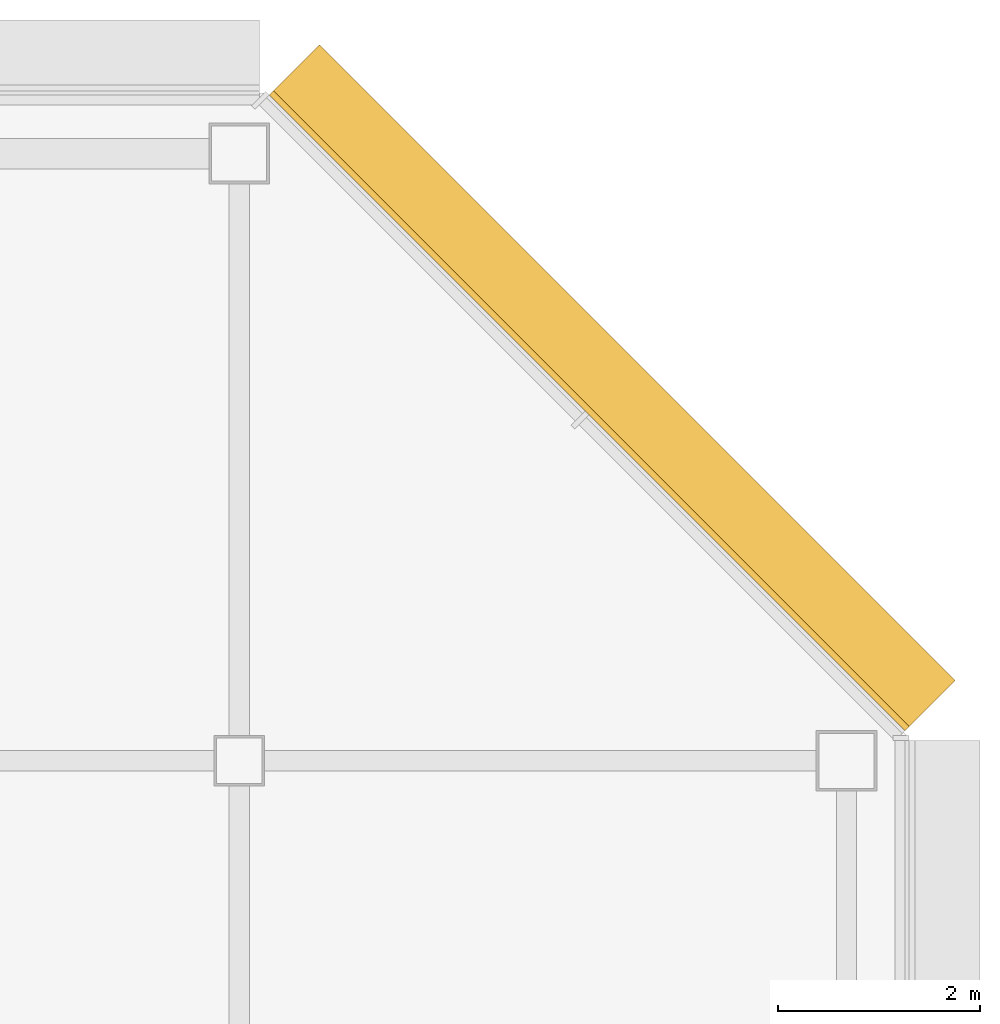
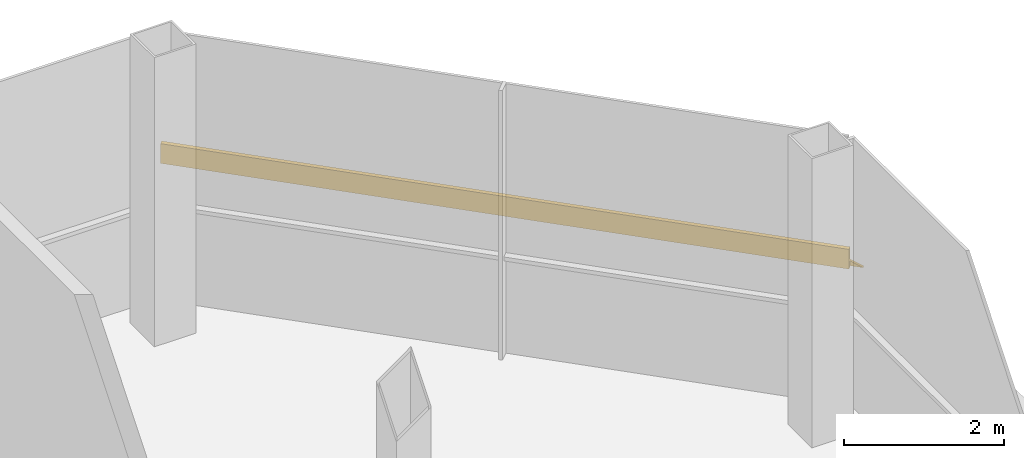
# One storey, part 28 of 29: 1 shading device.
"""IFC4 building model written with IfcOpenShell, lengths in metres."""

from ifc_helpers import new_model, si_unit, direction, frame, origin, place, context, subcontext, project, spatial, polyline, outline, extrude, material, type_object, element, save


model = new_model("IFC4")

# Units and contexts
model_context = context("Model", 3, precision=1e-05, world=origin(), true_north=direction((0.0, 1.0)))
body_context = subcontext(model_context, "Body", "Model", "MODEL_VIEW")
ifc_project = project(units=[si_unit("LENGTHUNIT", "METRE"), si_unit("AREAUNIT", "SQUARE_METRE"), si_unit("VOLUMEUNIT", "CUBIC_METRE"), si_unit("PLANEANGLEUNIT", "RADIAN"), si_unit("MASSUNIT", "GRAM", prefix="KILO")], contexts=[model_context])

# Site, building, storey
site_placement = place(None, origin())
site = spatial("IfcSite", under=ifc_project, at=site_placement, CompositionType="ELEMENT")
building_placement = place(site_placement, origin())
building = spatial("IfcBuilding", under=site, at=building_placement, Name="Sorahane Residences", CompositionType="ELEMENT")
storey_placement = place(building_placement, frame((0.0, 0.0, 277.39990234375)))
storey = spatial("IfcBuildingStorey", under=building, at=storey_placement, Name="L66", CompositionType="ELEMENT", Elevation=277.39990234375)

# Shading device
ifc_material = material(Name="Terracotta anodised aluminium", Category="masonry")
shading_device_type = type_object("IfcShadingDeviceType", Name="Louvre sunshade blade NE terracotta aluminium 700", PredefinedType="JALOUSIE", material=ifc_material)
shading_device_placement = place(storey_placement, frame((54.564697265625, 42.283935546875, 2.2001953125), z_axis=(-0.707106781187, 0.707106781187, 0.0), x_axis=(-0.707106781187, -0.707106781187, 0.0)))
element("IfcShadingDevice", 1, at=shading_device_placement, inside=storey, type_object=shading_device_type, Name="Louvre sunshade blade bank NE L66 NE1", PredefinedType="JALOUSIE", context=body_context, shape_type="SweptSolid", body=[
    extrude(outline(polyline([(-0.719970703125, -0.572509765625), (-0.719970703125, -0.602294921875), (-0.080078125, -0.065185546875), (-0.080078125, -0.14990234375), (-0.02001953125, -0.14990234375), (-0.02001953125, -0.014892578125), (-0.02001953125, 0.014892578125), (-0.02001953125, 0.14990234375), (-0.080078125, 0.14990234375), (-0.080078125, -0.035400390625), (-0.719970703125, -0.572509765625)])), origin(), (0.0, 0.0, 1.0), 8.88232421875),
])

save(model, "model.ifc")
